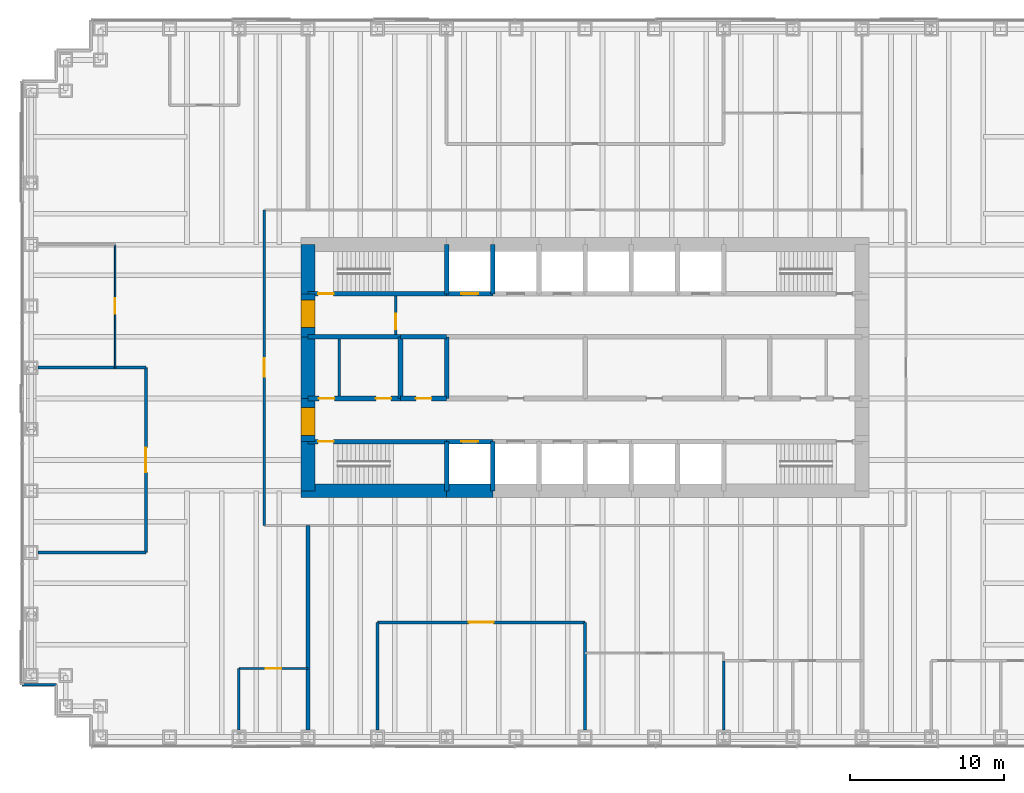
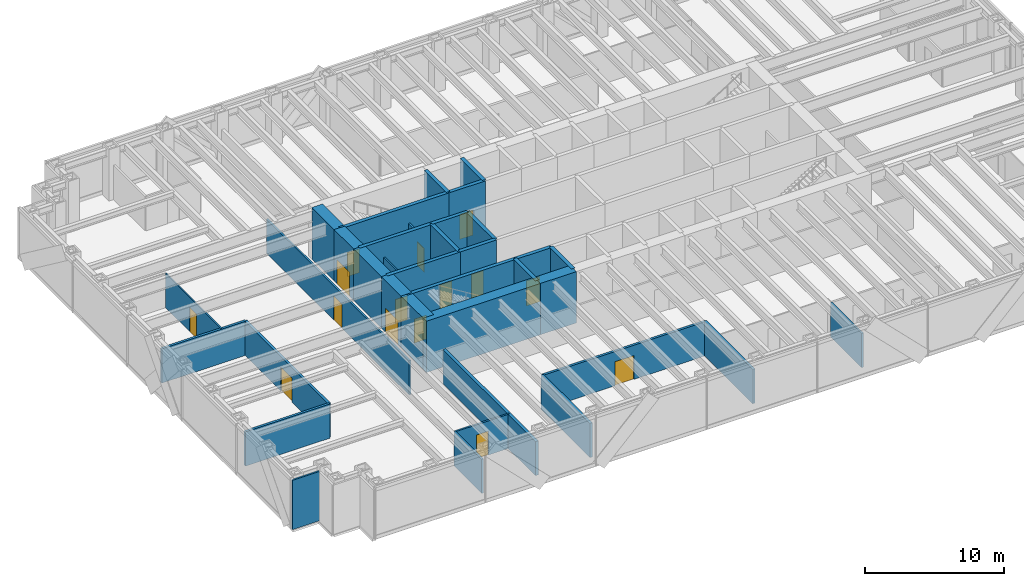
# One storey, part 9 of 13: 36 walls, 15 doors, 15 openings.
"""IFC4 building model written with IfcOpenShell, lengths in metres."""

from ifc_helpers import new_model, si_unit, direction, frame, frame_2d, origin, place, context, subcontext, project, spatial, rectangle, extrude, material, layer, layer_set, type_object, element, fill, save


model = new_model("IFC4")

# Units and contexts
model_context = context("Model", 3, precision=1e-05, world=origin(), true_north=direction((0.0, 1.0)))
body_context = subcontext(model_context, "Body", "Model", "MODEL_VIEW")
ifc_project = project(units=[si_unit("LENGTHUNIT", "METRE"), si_unit("AREAUNIT", "SQUARE_METRE"), si_unit("VOLUMEUNIT", "CUBIC_METRE"), si_unit("PLANEANGLEUNIT", "RADIAN"), si_unit("MASSUNIT", "GRAM", prefix="KILO")], contexts=[model_context])

# Site, building, storey
site_placement = place(None, origin())
site = spatial("IfcSite", under=ifc_project, at=site_placement, CompositionType="ELEMENT")
building_placement = place(site_placement, origin())
building = spatial("IfcBuilding", under=site, at=building_placement, Name="Rheinbord Bourse Tower", CompositionType="ELEMENT")
storey_placement = place(building_placement, frame((0.0, 0.0, 81.5)))
storey = spatial("IfcBuildingStorey", under=building, at=storey_placement, Name="L17", CompositionType="ELEMENT", Elevation=81.5)

# Wall, opening, door
ifc_material_1 = material(Name="Acoustic gypsum board partition", Category="gypsum board")
ifc_layer_1 = layer(ifc_material_1, 0.199951171875)
ifc_layer_set_1 = layer_set([ifc_layer_1], Name="ACOUSTIC PARTITION 200")
wall_type_1 = type_object("IfcWallType", Name="ACOUSTIC PARTITION 200", PredefinedType="PARTITIONING", material=ifc_layer_set_1)
wall_1_placement = place(storey_placement, frame((22.5, 7.449951171875, 0.0), z_axis=(0.0, 0.0, 1.0), x_axis=(1.0, 0.0, 0.0)))
wall_1 = element("IfcWall", 1, at=wall_1_placement, inside=storey, type_object=wall_type_1, Name="Partition L17-06", PredefinedType="PARTITIONING", context=body_context, shape_type="SweptSolid", body=[
    extrude(rectangle(XDim=13.5, YDim=0.199951171875, at=frame_2d((6.75, 0.0))), origin(), (0.0, 0.0, 1.0), 3.0),
])
opening_1_placement = place(wall_1_placement, frame((5.949951171875, 0.0, 0.0)))
opening_1 = element("IfcOpeningElement", 2, at=opening_1_placement, cuts=wall_1, Name="Opening 17D07", PredefinedType="OPENING", context=body_context, shape_type="SweptSolid", body=[
    extrude(rectangle(XDim=1.60009765625, YDim=2.10009765625, at=frame_2d((0.800048828125, 1.050048828125))), frame((0.0, 0.10986328125, 0.0), z_axis=(0.0, -1.0, 0.0), x_axis=(1.0, 0.0, 0.0)), (0.0, 0.0, 1.0), 0.219970703125),
])
ifc_material_2 = material(Name="Timber door", Category="wood")
door_type_1 = type_object("IfcDoorType", Name="DOUBLE ROOM DOOR 1600", OperationType="DOUBLE_DOOR_DOUBLE_SWING", PredefinedType="DOOR", material=ifc_material_2)
door_1_placement = place(opening_1_placement, origin())
door_1 = element("IfcDoor", 3, at=door_1_placement, inside=storey, type_object=door_type_1, Name="Trading room door L17", OperationType="SINGLE_SWING_LEFT", OverallHeight=2.10009765625, OverallWidth=1.60009765625, PredefinedType="DOOR", context=body_context, shape_type="SweptSolid", body=[
    extrude(rectangle(XDim=1.60009765625, YDim=2.10009765625, at=frame_2d((0.800048828125, 1.050048828125))), frame((0.0, 0.02490234375, 0.0), z_axis=(0.0, -1.0, 0.0), x_axis=(1.0, 0.0, 0.0)), (0.0, 0.0, 1.0), 0.050048828125),
])
fill(opening_1, door_1)

# Walls
for number, where, z_axis, x_axis, name in (
    (4, (0.449951171875, 12.0, 0.0), (0.0, 0.0, 1.0), (1.0, 0.0, 0.0), "Partition L17-07"),
    (5, (0.449951171875, 24.0, 0.0), (0.0, 0.0, 1.0), (1.0, 0.0, 0.0), "Partition L17-11"),
):
    element("IfcWall", number, at=place(storey_placement, frame(where, z_axis=z_axis, x_axis=x_axis)), inside=storey, type_object=wall_type_1, Name=name, PredefinedType="PARTITIONING", context=body_context, shape_type="SweptSolid", body=[
        extrude(rectangle(XDim=7.0, YDim=0.199951171875, at=frame_2d((3.5, 0.0))), origin(), (0.0, 0.0, 1.0), 3.0),
    ])

# Wall, opening, door
wall_2_placement = place(storey_placement, frame((7.449951171875, 12.0, 0.0), z_axis=(0.0, 0.0, 1.0), x_axis=(0.0, 1.0, 0.0)))
wall_2 = element("IfcWall", 6, at=wall_2_placement, inside=storey, type_object=wall_type_1, Name="Partition L17-22", PredefinedType="PARTITIONING", context=body_context, shape_type="SweptSolid", body=[
    extrude(rectangle(XDim=12.0, YDim=0.199951171875, at=frame_2d((6.0, 0.0))), origin(), (0.0, 0.0, 1.0), 3.0),
])
opening_2_placement = place(wall_2_placement, frame((5.199951171875, 0.0, 0.0)))
opening_2 = element("IfcOpeningElement", 7, at=opening_2_placement, cuts=wall_2, Name="Opening 17D09", PredefinedType="OPENING", context=body_context, shape_type="SweptSolid", body=[
    extrude(rectangle(XDim=1.60009765625, YDim=2.10009765625, at=frame_2d((0.800048828125, 1.050048828125))), frame((0.0, 0.10986328125, 0.0), z_axis=(0.0, -1.0, 0.0), x_axis=(1.0, 0.0, 0.0)), (0.0, 0.0, 1.0), 0.219970703125),
])
door_2_placement = place(opening_2_placement, origin())
door_2 = element("IfcDoor", 8, at=door_2_placement, inside=storey, type_object=door_type_1, Name="Trading room door L17", OperationType="SINGLE_SWING_LEFT", OverallHeight=2.10009765625, OverallWidth=1.60009765625, PredefinedType="DOOR", context=body_context, shape_type="SweptSolid", body=[
    extrude(rectangle(XDim=1.60009765625, YDim=2.10009765625, at=frame_2d((0.800048828125, 1.050048828125))), frame((0.0, 0.02490234375, 0.0), z_axis=(0.0, -1.0, 0.0), x_axis=(1.0, 0.0, 0.0)), (0.0, 0.0, 1.0), 0.050048828125),
])
fill(opening_2, door_2)

# Walls
for number, where, z_axis, x_axis, name in (
    (9, (22.5, 0.449951171875, 0.0), (0.0, 0.0, 1.0), (0.0, 1.0, 0.0), "Partition L17-29"),
    (10, (36.0, 0.449951171875, 0.0), (0.0, 0.0, 1.0), (0.0, 1.0, 0.0), "Partition L17-31"),
):
    element("IfcWall", number, at=place(storey_placement, frame(where, z_axis=z_axis, x_axis=x_axis)), inside=storey, type_object=wall_type_1, Name=name, PredefinedType="PARTITIONING", context=body_context, shape_type="SweptSolid", body=[
        extrude(rectangle(XDim=7.0, YDim=0.199951171875, at=frame_2d((3.5, 0.0))), origin(), (0.0, 0.0, 1.0), 3.0),
    ])

# Wall, opening, door
ifc_material_3 = material(Name="Concrete C50/60", Category="concrete")
ifc_layer_2 = layer(ifc_material_3, 0.300048828125)
ifc_layer_set_2 = layer_set([ifc_layer_2], Name="CORE INNER WALL 300")
wall_type_2 = type_object("IfcWallType", Name="CORE INNER WALL 300", PredefinedType="SOLIDWALL", material=ifc_layer_set_2)
wall_3_placement = place(storey_placement, frame((18.0, 19.199951171875, 0.0), z_axis=(0.0, 0.0, 1.0), x_axis=(1.0, 0.0, 0.0)))
wall_3 = element("IfcWall", 11, at=wall_3_placement, inside=storey, type_object=wall_type_2, Name="Core wall A1 L17", PredefinedType="SOLIDWALL", context=body_context, shape_type="SweptSolid", body=[
    extrude(rectangle(XDim=9.0, YDim=0.300048828125, at=frame_2d((4.5, 0.0))), origin(), (0.0, 0.0, 1.0), 4.5),
])
opening_3_placement = place(wall_3_placement, frame((0.64990234375, 0.0, 0.0)))
opening_3 = element("IfcOpeningElement", 12, at=opening_3_placement, cuts=wall_3, Name="Opening 1710", PredefinedType="OPENING", context=body_context, shape_type="SweptSolid", body=[
    extrude(rectangle(XDim=1.0, YDim=2.10009765625, at=frame_2d((0.5, 1.050048828125))), frame((0.0, 0.159912109375, 0.0), z_axis=(0.0, -1.0, 0.0), x_axis=(1.0, 0.0, 0.0)), (0.0, 0.0, 1.0), 0.320068359375),
])
ifc_material_4 = material(Name="Steel door", Category="steel")
door_type_2 = type_object("IfcDoorType", Name="DOOR 1000 EI30", OperationType="SINGLE_SWING_LEFT", PredefinedType="DOOR", material=ifc_material_4)
door_3_placement = place(opening_3_placement, origin())
door_3 = element("IfcDoor", 13, at=door_3_placement, inside=storey, type_object=door_type_2, Name="Stair door ST1 L17", OperationType="SINGLE_SWING_LEFT", OverallHeight=2.10009765625, OverallWidth=1.0, PredefinedType="DOOR", context=body_context, shape_type="SweptSolid", body=[
    extrude(rectangle(XDim=1.0, YDim=2.10009765625, at=frame_2d((0.5, 1.050048828125))), frame((0.0, 0.02490234375, 0.0), z_axis=(0.0, -1.0, 0.0), x_axis=(1.0, 0.0, 0.0)), (0.0, 0.0, 1.0), 0.050048828125),
])
fill(opening_3, door_3)

wall_4_placement = place(storey_placement, frame((27.0, 19.199951171875, 0.0), z_axis=(0.0, 0.0, 1.0), x_axis=(1.0, 0.0, 0.0)))
wall_4 = element("IfcWall", 14, at=wall_4_placement, inside=storey, type_object=wall_type_2, Name="Core wall A2 L17", PredefinedType="SOLIDWALL", context=body_context, shape_type="SweptSolid", body=[
    extrude(rectangle(XDim=3.0, YDim=0.300048828125, at=frame_2d((1.5, 0.0))), origin(), (0.0, 0.0, 1.0), 4.5),
])
opening_4_placement = place(wall_4_placement, frame((0.949951171875, 0.0, 0.0)))
opening_4 = element("IfcOpeningElement", 15, at=opening_4_placement, cuts=wall_4, Name="Opening FL1", PredefinedType="OPENING", context=body_context, shape_type="SweptSolid", body=[
    extrude(rectangle(XDim=1.10009765625, YDim=2.199951171875, at=frame_2d((0.550048828125, 1.10009765625))), frame((0.0, 0.159912109375, 0.0), z_axis=(0.0, -1.0, 0.0), x_axis=(1.0, 0.0, 0.0)), (0.0, 0.0, 1.0), 0.320068359375),
])
ifc_material_5 = material(Name="Steel landing door", Category="steel")
door_type_3 = type_object("IfcDoorType", Name="LIFT LANDING DOOR 1100", OperationType="DOUBLE_DOOR_SLIDING", PredefinedType="USERDEFINED", material=ifc_material_5)
door_4_placement = place(opening_4_placement, origin())
door_4 = element("IfcDoor", 16, at=door_4_placement, inside=storey, type_object=door_type_3, Name="Lift landing door FL1 L17", ObjectType="LIFT LANDING DOOR", OperationType="DOUBLE_DOOR_SLIDING", OverallHeight=2.199951171875, OverallWidth=1.10009765625, PredefinedType="USERDEFINED", context=body_context, shape_type="SweptSolid", body=[
    extrude(rectangle(XDim=1.10009765625, YDim=2.199951171875, at=frame_2d((0.550048828125, 1.10009765625))), frame((0.0, 0.02490234375, 0.0), z_axis=(0.0, -1.0, 0.0), x_axis=(1.0, 0.0, 0.0)), (0.0, 0.0, 1.0), 0.050048828125),
])
fill(opening_4, door_4)

wall_5_placement = place(storey_placement, frame((18.0, 28.800048828125, 0.0), z_axis=(0.0, 0.0, 1.0), x_axis=(1.0, 0.0, 0.0)))
wall_5 = element("IfcWall", 17, at=wall_5_placement, inside=storey, type_object=wall_type_2, Name="Core wall B1 L17", PredefinedType="SOLIDWALL", context=body_context, shape_type="SweptSolid", body=[
    extrude(rectangle(XDim=9.0, YDim=0.300048828125, at=frame_2d((4.5, 0.0))), origin(), (0.0, 0.0, 1.0), 4.5),
])
opening_5_placement = place(wall_5_placement, frame((0.64990234375, 0.0, 0.0)))
opening_5 = element("IfcOpeningElement", 18, at=opening_5_placement, cuts=wall_5, Name="Opening 1720", PredefinedType="OPENING", context=body_context, shape_type="SweptSolid", body=[
    extrude(rectangle(XDim=1.0, YDim=2.10009765625, at=frame_2d((0.5, 1.050048828125))), frame((0.0, 0.159912109375, 0.0), z_axis=(0.0, -1.0, 0.0), x_axis=(1.0, 0.0, 0.0)), (0.0, 0.0, 1.0), 0.320068359375),
])
door_5_placement = place(opening_5_placement, origin())
door_5 = element("IfcDoor", 19, at=door_5_placement, inside=storey, type_object=door_type_2, Name="Stair door ST2 L17", OperationType="SINGLE_SWING_LEFT", OverallHeight=2.10009765625, OverallWidth=1.0, PredefinedType="DOOR", context=body_context, shape_type="SweptSolid", body=[
    extrude(rectangle(XDim=1.0, YDim=2.10009765625, at=frame_2d((0.5, 1.050048828125))), frame((0.0, 0.02490234375, 0.0), z_axis=(0.0, -1.0, 0.0), x_axis=(1.0, 0.0, 0.0)), (0.0, 0.0, 1.0), 0.050048828125),
])
fill(opening_5, door_5)

wall_6_placement = place(storey_placement, frame((27.0, 28.800048828125, 0.0), z_axis=(0.0, 0.0, 1.0), x_axis=(1.0, 0.0, 0.0)))
wall_6 = element("IfcWall", 20, at=wall_6_placement, inside=storey, type_object=wall_type_2, Name="Core wall B2 L17", PredefinedType="SOLIDWALL", context=body_context, shape_type="SweptSolid", body=[
    extrude(rectangle(XDim=3.0, YDim=0.300048828125, at=frame_2d((1.5, 0.0))), origin(), (0.0, 0.0, 1.0), 4.5),
])
opening_6_placement = place(wall_6_placement, frame((0.949951171875, 0.0, 0.0)))
opening_6 = element("IfcOpeningElement", 21, at=opening_6_placement, cuts=wall_6, Name="Opening GL1", PredefinedType="OPENING", context=body_context, shape_type="SweptSolid", body=[
    extrude(rectangle(XDim=1.10009765625, YDim=2.199951171875, at=frame_2d((0.550048828125, 1.10009765625))), frame((0.0, 0.159912109375, 0.0), z_axis=(0.0, -1.0, 0.0), x_axis=(1.0, 0.0, 0.0)), (0.0, 0.0, 1.0), 0.320068359375),
])
door_6_placement = place(opening_6_placement, origin())
door_6 = element("IfcDoor", 22, at=door_6_placement, inside=storey, type_object=door_type_3, Name="Lift landing door GL1 L17", ObjectType="LIFT LANDING DOOR", OperationType="DOUBLE_DOOR_SLIDING", OverallHeight=2.199951171875, OverallWidth=1.10009765625, PredefinedType="USERDEFINED", context=body_context, shape_type="SweptSolid", body=[
    extrude(rectangle(XDim=1.10009765625, YDim=2.199951171875, at=frame_2d((0.550048828125, 1.10009765625))), frame((0.0, 0.02490234375, 0.0), z_axis=(0.0, -1.0, 0.0), x_axis=(1.0, 0.0, 0.0)), (0.0, 0.0, 1.0), 0.050048828125),
])
fill(opening_6, door_6)

# Wall, openings, doors
wall_7_placement = place(storey_placement, frame((18.0, 22.0, 0.0), z_axis=(0.0, 0.0, 1.0), x_axis=(1.0, 0.0, 0.0)))
wall_7 = element("IfcWall", 23, at=wall_7_placement, inside=storey, type_object=wall_type_2, Name="Core wall C1 L17", PredefinedType="SOLIDWALL", context=body_context, shape_type="SweptSolid", body=[
    extrude(rectangle(XDim=6.0, YDim=0.300048828125, at=frame_2d((3.0, 0.0))), origin(), (0.0, 0.0, 1.0), 4.5),
])
opening_7_placement = place(wall_7_placement, frame((4.39990234375, 0.0, 0.0)))
opening_7 = element("IfcOpeningElement", 24, at=opening_7_placement, cuts=wall_7, Name="Opening 17R1", PredefinedType="OPENING", context=body_context, shape_type="SweptSolid", body=[
    extrude(rectangle(XDim=1.0, YDim=2.10009765625, at=frame_2d((0.5, 1.050048828125))), frame((0.0, 0.159912109375, 0.0), z_axis=(0.0, -1.0, 0.0), x_axis=(1.0, 0.0, 0.0)), (0.0, 0.0, 1.0), 0.320068359375),
])
opening_8_placement = place(wall_7_placement, frame((0.699951171875, 0.0, 0.0)))
opening_8 = element("IfcOpeningElement", 25, at=opening_8_placement, cuts=wall_7, Name="Opening 17R9", PredefinedType="OPENING", context=body_context, shape_type="SweptSolid", body=[
    extrude(rectangle(XDim=1.0, YDim=2.10009765625, at=frame_2d((0.5, 1.050048828125))), frame((0.0, 0.159912109375, 0.0), z_axis=(0.0, -1.0, 0.0), x_axis=(1.0, 0.0, 0.0)), (0.0, 0.0, 1.0), 0.320068359375),
])
door_7_placement = place(opening_8_placement, origin())
door_7 = element("IfcDoor", 26, at=door_7_placement, inside=storey, type_object=door_type_2, Name="Staff shower door L17", OperationType="SINGLE_SWING_LEFT", OverallHeight=2.10009765625, OverallWidth=1.0, PredefinedType="DOOR", context=body_context, shape_type="SweptSolid", body=[
    extrude(rectangle(XDim=1.0, YDim=2.10009765625, at=frame_2d((0.5, 1.050048828125))), frame((0.0, 0.02490234375, 0.0), z_axis=(0.0, -1.0, 0.0), x_axis=(1.0, 0.0, 0.0)), (0.0, 0.0, 1.0), 0.050048828125),
])
fill(opening_8, door_7)
ifc_material_6 = material(Name="Timber door", Category="wood")
door_type_4 = type_object("IfcDoorType", Name="DOOR 1000 WC", OperationType="SINGLE_SWING_LEFT", PredefinedType="DOOR", material=ifc_material_6)
door_8_placement = place(opening_7_placement, origin())
door_8 = element("IfcDoor", 27, at=door_8_placement, inside=storey, type_object=door_type_4, Name="WC men door L17", OperationType="SINGLE_SWING_RIGHT", OverallHeight=2.10009765625, OverallWidth=1.0, PredefinedType="DOOR", context=body_context, shape_type="SweptSolid", body=[
    extrude(rectangle(XDim=1.0, YDim=2.10009765625, at=frame_2d((0.5, 1.050048828125))), frame((0.0, 0.02490234375, 0.0), z_axis=(0.0, -1.0, 0.0), x_axis=(1.0, 0.0, 0.0)), (0.0, 0.0, 1.0), 0.050048828125),
])
fill(opening_7, door_8)

# Wall, opening, door
wall_8_placement = place(storey_placement, frame((24.0, 22.0, 0.0), z_axis=(0.0, 0.0, 1.0), x_axis=(1.0, 0.0, 0.0)))
wall_8 = element("IfcWall", 28, at=wall_8_placement, inside=storey, type_object=wall_type_2, Name="Core wall C2 L17", PredefinedType="SOLIDWALL", context=body_context, shape_type="SweptSolid", body=[
    extrude(rectangle(XDim=3.0, YDim=0.300048828125, at=frame_2d((1.5, 0.0))), origin(), (0.0, 0.0, 1.0), 4.5),
])
opening_9_placement = place(wall_8_placement, frame((1.0, 0.0, 0.0)))
opening_9 = element("IfcOpeningElement", 29, at=opening_9_placement, cuts=wall_8, Name="Opening 17R2", PredefinedType="OPENING", context=body_context, shape_type="SweptSolid", body=[
    extrude(rectangle(XDim=1.0, YDim=2.10009765625, at=frame_2d((0.5, 1.050048828125))), frame((0.0, 0.159912109375, 0.0), z_axis=(0.0, -1.0, 0.0), x_axis=(1.0, 0.0, 0.0)), (0.0, 0.0, 1.0), 0.320068359375),
])
door_9_placement = place(opening_9_placement, origin())
door_9 = element("IfcDoor", 30, at=door_9_placement, inside=storey, type_object=door_type_4, Name="Shower and accessible WC door L17", OperationType="SINGLE_SWING_LEFT", OverallHeight=2.10009765625, OverallWidth=1.0, PredefinedType="DOOR", context=body_context, shape_type="SweptSolid", body=[
    extrude(rectangle(XDim=1.0, YDim=2.10009765625, at=frame_2d((0.5, 1.050048828125))), frame((0.0, 0.02490234375, 0.0), z_axis=(0.0, -1.0, 0.0), x_axis=(1.0, 0.0, 0.0)), (0.0, 0.0, 1.0), 0.050048828125),
])
fill(opening_9, door_9)

# Walls
wall_9_placement = place(storey_placement, frame((18.0, 26.0, 0.0), z_axis=(0.0, 0.0, 1.0), x_axis=(1.0, 0.0, 0.0)))
element("IfcWall", 31, at=wall_9_placement, inside=storey, type_object=wall_type_2, Name="Core wall D1 L17", PredefinedType="SOLIDWALL", context=body_context, shape_type="SweptSolid", body=[
    extrude(rectangle(XDim=6.0, YDim=0.300048828125, at=frame_2d((3.0, 0.0))), origin(), (0.0, 0.0, 1.0), 4.5),
])
wall_10_placement = place(storey_placement, frame((24.0, 26.0, 0.0), z_axis=(0.0, 0.0, 1.0), x_axis=(1.0, 0.0, 0.0)))
element("IfcWall", 32, at=wall_10_placement, inside=storey, type_object=wall_type_2, Name="Core wall D2 L17", PredefinedType="SOLIDWALL", context=body_context, shape_type="SweptSolid", body=[
    extrude(rectangle(XDim=3.0, YDim=0.300048828125, at=frame_2d((1.5, 0.0))), origin(), (0.0, 0.0, 1.0), 4.5),
])
for number, where, z_axis, x_axis, name in (
    (33, (27.0, 16.0, 0.0), (0.0, 0.0, 1.0), (0.0, 1.0, 0.0), "Core wall SX27 L17"),
    (34, (27.0, 28.800048828125, 0.0), (0.0, 0.0, 1.0), (0.0, 1.0, 0.0), "Core wall NX27 L17"),
    (35, (30.0, 16.0, 0.0), (0.0, 0.0, 1.0), (0.0, 1.0, 0.0), "Core wall SX30 L17"),
    (36, (30.0, 28.800048828125, 0.0), (0.0, 0.0, 1.0), (0.0, 1.0, 0.0), "Core wall NX30 L17"),
):
    element("IfcWall", number, at=place(storey_placement, frame(where, z_axis=z_axis, x_axis=x_axis)), inside=storey, type_object=wall_type_2, Name=name, PredefinedType="SOLIDWALL", context=body_context, shape_type="SweptSolid", body=[
        extrude(rectangle(XDim=3.199951171875, YDim=0.300048828125, at=frame_2d((1.60009765625, 0.0))), origin(), (0.0, 0.0, 1.0), 4.5),
    ])
for number, where, z_axis, x_axis, name in (
    (37, (24.0, 22.0, 0.0), (0.0, 0.0, 1.0), (0.0, 1.0, 0.0), "Core wall MX24 L17"),
    (38, (27.0, 22.0, 0.0), (0.0, 0.0, 1.0), (0.0, 1.0, 0.0), "Core wall MX27 L17"),
):
    element("IfcWall", number, at=place(storey_placement, frame(where, z_axis=z_axis, x_axis=x_axis)), inside=storey, type_object=wall_type_2, Name=name, PredefinedType="SOLIDWALL", context=body_context, shape_type="SweptSolid", body=[
        extrude(rectangle(XDim=4.0, YDim=0.300048828125, at=frame_2d((2.0, 0.0))), origin(), (0.0, 0.0, 1.0), 4.5),
    ])
ifc_material_7 = material(Name="Gypsum board fire partition", Category="gypsum board")
ifc_layer_3 = layer(ifc_material_7, 0.14990234375)
ifc_layer_set_3 = layer_set([ifc_layer_3], Name="CORE PARTITION 150 EI30")
wall_type_3 = type_object("IfcWallType", Name="CORE PARTITION 150 EI30", PredefinedType="PARTITIONING", material=ifc_layer_set_3)
wall_11_placement = place(storey_placement, frame((20.02490234375, 22.14990234375, 0.0), z_axis=(0.0, 0.0, 1.0), x_axis=(0.0, 1.0, 0.0)))
element("IfcWall", 39, at=wall_11_placement, inside=storey, type_object=wall_type_3, Name="Core partition L17-2", PredefinedType="PARTITIONING", context=body_context, shape_type="SweptSolid", body=[
    extrude(rectangle(XDim=3.7001953125, YDim=0.14990234375, at=frame_2d((1.85009765625, 0.0))), origin(), (0.0, 0.0, 1.0), 3.0),
])

# Wall, opening, door
wall_12_placement = place(storey_placement, frame((23.699951171875, 26.14990234375, 0.0), z_axis=(0.0, 0.0, 1.0), x_axis=(0.0, 1.0, 0.0)))
wall_12 = element("IfcWall", 40, at=wall_12_placement, inside=storey, type_object=wall_type_3, Name="Core partition L17-5", PredefinedType="PARTITIONING", context=body_context, shape_type="SweptSolid", body=[
    extrude(rectangle(XDim=2.5, YDim=0.14990234375, at=frame_2d((1.25, 0.0))), origin(), (0.0, 0.0, 1.0), 3.0),
])
opening_10_placement = place(wall_12_placement, frame((0.35009765625, 0.0, 0.0)))
opening_10 = element("IfcOpeningElement", 41, at=opening_10_placement, cuts=wall_12, Name="Opening 17L6", PredefinedType="OPENING", context=body_context, shape_type="SweptSolid", body=[
    extrude(rectangle(XDim=1.0, YDim=2.10009765625, at=frame_2d((0.5, 1.050048828125))), frame((0.0, 0.0849609375, 0.0), z_axis=(0.0, -1.0, 0.0), x_axis=(1.0, 0.0, 0.0)), (0.0, 0.0, 1.0), 0.169921875),
])
door_10_placement = place(opening_10_placement, origin())
door_10 = element("IfcDoor", 42, at=door_10_placement, inside=storey, type_object=door_type_2, Name="Stair lobby door L17", OperationType="SINGLE_SWING_LEFT", OverallHeight=2.10009765625, OverallWidth=1.0, PredefinedType="DOOR", context=body_context, shape_type="SweptSolid", body=[
    extrude(rectangle(XDim=1.0, YDim=2.10009765625, at=frame_2d((0.5, 1.050048828125))), frame((0.0, 0.02490234375, 0.0), z_axis=(0.0, -1.0, 0.0), x_axis=(1.0, 0.0, 0.0)), (0.0, 0.0, 1.0), 0.050048828125),
])
fill(opening_10, door_10)

# Walls
ifc_material_8 = material(Name="Concrete C50/60", Category="concrete")
ifc_layer_4 = layer(ifc_material_8, 0.89990234375)
ifc_layer_set_4 = layer_set([ifc_layer_4], Name="CORE WALL 900")
wall_type_4 = type_object("IfcWallType", Name="CORE WALL 900", PredefinedType="SHEAR", material=ifc_layer_set_4)
wall_13_placement = place(storey_placement, frame((17.550048828125, 16.0, 0.0), z_axis=(0.0, 0.0, 1.0), x_axis=(1.0, 0.0, 0.0)))
element("IfcWall", 43, at=wall_13_placement, inside=storey, type_object=wall_type_4, Name="Core wall S1 L17", PredefinedType="SHEAR", context=body_context, shape_type="SweptSolid", body=[
    extrude(rectangle(XDim=9.449951171875, YDim=0.89990234375, at=frame_2d((4.72509765625, 0.0))), origin(), (0.0, 0.0, 1.0), 4.5),
])
wall_14_placement = place(storey_placement, frame((27.0, 16.0, 0.0), z_axis=(0.0, 0.0, 1.0), x_axis=(1.0, 0.0, 0.0)))
element("IfcWall", 44, at=wall_14_placement, inside=storey, type_object=wall_type_4, Name="Core wall S2 L17", PredefinedType="SHEAR", context=body_context, shape_type="SweptSolid", body=[
    extrude(rectangle(XDim=3.0, YDim=0.89990234375, at=frame_2d((1.5, 0.0))), origin(), (0.0, 0.0, 1.0), 4.5),
])
wall_15_placement = place(storey_placement, frame((18.0, 32.0, 0.0), z_axis=(0.0, 0.0, 1.0), x_axis=(0.0, -1.0, 0.0)))
element("IfcWall", 45, at=wall_15_placement, inside=storey, type_object=wall_type_4, Name="Core wall W1 L17", PredefinedType="SHEAR", context=body_context, shape_type="SweptSolid", body=[
    extrude(rectangle(XDim=3.199951171875, YDim=0.89990234375, at=frame_2d((1.60009765625, 0.0))), origin(), (0.0, 0.0, 1.0), 4.5),
])

# Wall, opening, door
wall_16_placement = place(storey_placement, frame((18.0, 28.800048828125, 0.0), z_axis=(0.0, 0.0, 1.0), x_axis=(0.0, -1.0, 0.0)))
wall_16 = element("IfcWall", 46, at=wall_16_placement, inside=storey, type_object=wall_type_4, Name="Core wall W2 L17", PredefinedType="SHEAR", context=body_context, shape_type="SweptSolid", body=[
    extrude(rectangle(XDim=2.800048828125, YDim=0.89990234375, at=frame_2d((1.39990234375, 0.0))), origin(), (0.0, 0.0, 1.0), 4.5),
])
opening_11_placement = place(wall_16_placement, frame((0.39990234375, 0.0, 0.0)))
opening_11 = element("IfcOpeningElement", 47, at=opening_11_placement, cuts=wall_16, Name="Opening 17L2", PredefinedType="OPENING", context=body_context, shape_type="SweptSolid", body=[
    extrude(rectangle(XDim=1.800048828125, YDim=2.10009765625, at=frame_2d((0.89990234375, 1.050048828125))), frame((0.0, 0.4599609375, 0.0), z_axis=(0.0, -1.0, 0.0), x_axis=(1.0, 0.0, 0.0)), (0.0, 0.0, 1.0), 0.919921875),
])
ifc_material_9 = material(Name="Steel door", Category="steel")
door_type_5 = type_object("IfcDoorType", Name="DOOR 1800 EI30 DOUBLE", OperationType="DOUBLE_DOOR_DOUBLE_SWING", PredefinedType="DOOR", material=ifc_material_9)
door_11_placement = place(opening_11_placement, origin())
door_11 = element("IfcDoor", 48, at=door_11_placement, inside=storey, type_object=door_type_5, Name="Lobby door 2 L17", OperationType="SINGLE_SWING_LEFT", OverallHeight=2.10009765625, OverallWidth=1.800048828125, PredefinedType="DOOR", context=body_context, shape_type="SweptSolid", body=[
    extrude(rectangle(XDim=1.800048828125, YDim=2.10009765625, at=frame_2d((0.89990234375, 1.050048828125))), frame((0.0, 0.44970703125, 0.0), z_axis=(0.0, -1.0, 0.0), x_axis=(1.0, 0.0, 0.0)), (0.0, 0.0, 1.0), 0.8994140625),
])
fill(opening_11, door_11)

# Wall
wall_17_placement = place(storey_placement, frame((18.0, 26.0, 0.0), z_axis=(0.0, 0.0, 1.0), x_axis=(0.0, -1.0, 0.0)))
element("IfcWall", 49, at=wall_17_placement, inside=storey, type_object=wall_type_4, Name="Core wall W3 L17", PredefinedType="SHEAR", context=body_context, shape_type="SweptSolid", body=[
    extrude(rectangle(XDim=4.0, YDim=0.89990234375, at=frame_2d((2.0, 0.0))), origin(), (0.0, 0.0, 1.0), 4.5),
])

# Wall, opening, door
wall_18_placement = place(storey_placement, frame((18.0, 22.0, 0.0), z_axis=(0.0, 0.0, 1.0), x_axis=(0.0, -1.0, 0.0)))
wall_18 = element("IfcWall", 50, at=wall_18_placement, inside=storey, type_object=wall_type_4, Name="Core wall W4 L17", PredefinedType="SHEAR", context=body_context, shape_type="SweptSolid", body=[
    extrude(rectangle(XDim=2.800048828125, YDim=0.89990234375, at=frame_2d((1.39990234375, 0.0))), origin(), (0.0, 0.0, 1.0), 4.5),
])
opening_12_placement = place(wall_18_placement, frame((0.60009765625, 0.0, 0.0)))
opening_12 = element("IfcOpeningElement", 51, at=opening_12_placement, cuts=wall_18, Name="Opening 17L1", PredefinedType="OPENING", context=body_context, shape_type="SweptSolid", body=[
    extrude(rectangle(XDim=1.800048828125, YDim=2.10009765625, at=frame_2d((0.89990234375, 1.050048828125))), frame((0.0, 0.4599609375, 0.0), z_axis=(0.0, -1.0, 0.0), x_axis=(1.0, 0.0, 0.0)), (0.0, 0.0, 1.0), 0.919921875),
])
door_12_placement = place(opening_12_placement, origin())
door_12 = element("IfcDoor", 52, at=door_12_placement, inside=storey, type_object=door_type_5, Name="Lobby door 1 L17", OperationType="SINGLE_SWING_LEFT", OverallHeight=2.10009765625, OverallWidth=1.800048828125, PredefinedType="DOOR", context=body_context, shape_type="SweptSolid", body=[
    extrude(rectangle(XDim=1.800048828125, YDim=2.10009765625, at=frame_2d((0.89990234375, 1.050048828125))), frame((0.0, 0.44970703125, 0.0), z_axis=(0.0, -1.0, 0.0), x_axis=(1.0, 0.0, 0.0)), (0.0, 0.0, 1.0), 0.8994140625),
])
fill(opening_12, door_12)

# Walls
wall_19_placement = place(storey_placement, frame((18.0, 19.199951171875, 0.0), z_axis=(0.0, 0.0, 1.0), x_axis=(0.0, -1.0, 0.0)))
element("IfcWall", 53, at=wall_19_placement, inside=storey, type_object=wall_type_4, Name="Core wall W5 L17", PredefinedType="SHEAR", context=body_context, shape_type="SweptSolid", body=[
    extrude(rectangle(XDim=3.199951171875, YDim=0.89990234375, at=frame_2d((1.60009765625, 0.0))), origin(), (0.0, 0.0, 1.0), 4.5),
])
ifc_material_10 = material(Name="Black metal rainscreen panel", Category="aluminium")
ifc_layer_5 = layer(ifc_material_10, 0.14990234375)
ifc_layer_set_5 = layer_set([ifc_layer_5], Name="CORNER PIER CLADDING 150")
wall_type_5 = type_object("IfcWallType", Name="CORNER PIER CLADDING 150", PredefinedType="ELEMENTEDWALL", material=ifc_layer_set_5)
wall_20_placement = place(storey_placement, frame((-0.60009765625, 3.39990234375, 0.0), z_axis=(0.0, 0.0, 1.0), x_axis=(1.0, 0.0, 0.0)))
element("IfcWall", 54, at=wall_20_placement, inside=storey, type_object=wall_type_5, Name="Corner pier cladding L17 17", PredefinedType="ELEMENTEDWALL", context=body_context, shape_type="SweptSolid", body=[
    extrude(rectangle(XDim=2.25, YDim=0.14990234375, at=frame_2d((1.125, 0.0))), origin(), (0.0, 0.0, 1.0), 4.320068359375),
])

# Wall, opening, door
ifc_material_11 = material(Name="Gypsum board corridor partition", Category="gypsum board")
ifc_layer_6 = layer(ifc_material_11, 0.14990234375)
ifc_layer_set_6 = layer_set([ifc_layer_6], Name="CORRIDOR PARTITION 150 EI30")
wall_type_6 = type_object("IfcWallType", Name="CORRIDOR PARTITION 150 EI30", PredefinedType="PARTITIONING", material=ifc_layer_set_6)
wall_21_placement = place(storey_placement, frame((15.14990234375, 13.75, 0.0), z_axis=(0.0, 0.0, 1.0), x_axis=(0.0, 1.0, 0.0)))
wall_21 = element("IfcWall", 55, at=wall_21_placement, inside=storey, type_object=wall_type_6, Name="Partition L17-26", PredefinedType="PARTITIONING", context=body_context, shape_type="SweptSolid", body=[
    extrude(rectangle(XDim=20.5, YDim=0.14990234375, at=frame_2d((10.25, 0.0))), origin(), (0.0, 0.0, 1.0), 3.0),
])
opening_13_placement = place(wall_21_placement, frame((9.64990234375, 0.0, 0.0)))
opening_13 = element("IfcOpeningElement", 56, at=opening_13_placement, cuts=wall_21, Name="Opening 17D17", PredefinedType="OPENING", context=body_context, shape_type="SweptSolid", body=[
    extrude(rectangle(XDim=1.199951171875, YDim=2.10009765625, at=frame_2d((0.60009765625, 1.050048828125))), frame((0.0, 0.0849609375, 0.0), z_axis=(0.0, -1.0, 0.0), x_axis=(1.0, 0.0, 0.0)), (0.0, 0.0, 1.0), 0.169921875),
])
ifc_material_12 = material(Name="Timber fire door", Category="wood")
door_type_6 = type_object("IfcDoorType", Name="SUITE ENTRANCE DOOR 1200 EI30", OperationType="SINGLE_SWING_LEFT", PredefinedType="DOOR", material=ifc_material_12)
door_13_placement = place(opening_13_placement, origin())
door_13 = element("IfcDoor", 57, at=door_13_placement, inside=storey, type_object=door_type_6, Name="Suite entrance 1 door L17", OperationType="SINGLE_SWING_LEFT", OverallHeight=2.10009765625, OverallWidth=1.199951171875, PredefinedType="DOOR", context=body_context, shape_type="SweptSolid", body=[
    extrude(rectangle(XDim=1.199951171875, YDim=2.10009765625, at=frame_2d((0.60009765625, 1.050048828125))), frame((0.0, 0.02490234375, 0.0), z_axis=(0.0, -1.0, 0.0), x_axis=(1.0, 0.0, 0.0)), (0.0, 0.0, 1.0), 0.050048828125),
])
fill(opening_13, door_13)

# Wall
ifc_material_13 = material(Name="Gypsum board tenancy wall", Category="gypsum board")
ifc_layer_7 = layer(ifc_material_13, 0.25)
ifc_layer_set_7 = layer_set([ifc_layer_7], Name="DEMISING PARTITION 250 EI60")
wall_type_7 = type_object("IfcWallType", Name="DEMISING PARTITION 250 EI60", PredefinedType="PARTITIONING", material=ifc_layer_set_7)
wall_22_placement = place(storey_placement, frame((18.0, 0.449951171875, 0.0), z_axis=(0.0, 0.0, 1.0), x_axis=(0.0, 1.0, 0.0)))
element("IfcWall", 58, at=wall_22_placement, inside=storey, type_object=wall_type_7, Name="Partition L17-27", PredefinedType="PARTITIONING", context=body_context, shape_type="SweptSolid", body=[
    extrude(rectangle(XDim=13.300048828125, YDim=0.25, at=frame_2d((6.64990234375, 0.0))), origin(), (0.0, 0.0, 1.0), 3.0),
])

# Wall, opening, door
ifc_material_14 = material(Name="Gypsum board fire partition", Category="gypsum board")
ifc_layer_8 = layer(ifc_material_14, 0.14990234375)
ifc_layer_set_8 = layer_set([ifc_layer_8], Name="FIRE PARTITION 150 EI60")
wall_type_8 = type_object("IfcWallType", Name="FIRE PARTITION 150 EI60", PredefinedType="PARTITIONING", material=ifc_layer_set_8)
wall_23_placement = place(storey_placement, frame((13.5, 4.449951171875, 0.0), z_axis=(0.0, 0.0, 1.0), x_axis=(1.0, 0.0, 0.0)))
wall_23 = element("IfcWall", 59, at=wall_23_placement, inside=storey, type_object=wall_type_8, Name="Partition L17-01", PredefinedType="PARTITIONING", context=body_context, shape_type="SweptSolid", body=[
    extrude(rectangle(XDim=4.5, YDim=0.14990234375, at=frame_2d((2.25, 0.0))), origin(), (0.0, 0.0, 1.0), 3.0),
])
opening_14_placement = place(wall_23_placement, frame((1.75, 0.0, 0.0)))
opening_14 = element("IfcOpeningElement", 60, at=opening_14_placement, cuts=wall_23, Name="Opening 17D01", PredefinedType="OPENING", context=body_context, shape_type="SweptSolid", body=[
    extrude(rectangle(XDim=1.0, YDim=2.10009765625, at=frame_2d((0.5, 1.050048828125))), frame((0.0, 0.0849609375, 0.0), z_axis=(0.0, -1.0, 0.0), x_axis=(1.0, 0.0, 0.0)), (0.0, 0.0, 1.0), 0.169921875),
])
ifc_material_15 = material(Name="Timber fire door", Category="wood")
door_type_7 = type_object("IfcDoorType", Name="FIRE DOOR 1000 EI60", OperationType="SINGLE_SWING_LEFT", PredefinedType="DOOR", material=ifc_material_15)
door_14_placement = place(opening_14_placement, origin())
door_14 = element("IfcDoor", 61, at=door_14_placement, inside=storey, type_object=door_type_7, Name="Comms room door L17", OperationType="SINGLE_SWING_LEFT", OverallHeight=2.10009765625, OverallWidth=1.0, PredefinedType="DOOR", context=body_context, shape_type="SweptSolid", body=[
    extrude(rectangle(XDim=1.0, YDim=2.10009765625, at=frame_2d((0.5, 1.050048828125))), frame((0.0, 0.02490234375, 0.0), z_axis=(0.0, -1.0, 0.0), x_axis=(1.0, 0.0, 0.0)), (0.0, 0.0, 1.0), 0.050048828125),
])
fill(opening_14, door_14)

# Walls
wall_24_placement = place(storey_placement, frame((13.5, 0.449951171875, 0.0), z_axis=(0.0, 0.0, 1.0), x_axis=(0.0, 1.0, 0.0)))
element("IfcWall", 62, at=wall_24_placement, inside=storey, type_object=wall_type_8, Name="Partition L17-24", PredefinedType="PARTITIONING", context=body_context, shape_type="SweptSolid", body=[
    extrude(rectangle(XDim=4.0, YDim=0.14990234375, at=frame_2d((2.0, 0.0))), origin(), (0.0, 0.0, 1.0), 3.0),
])
wall_25_placement = place(storey_placement, frame((45.0, 0.449951171875, 0.0), z_axis=(0.0, 0.0, 1.0), x_axis=(0.0, 1.0, 0.0)))
element("IfcWall", 63, at=wall_25_placement, inside=storey, type_object=wall_type_8, Name="Partition L17-32", PredefinedType="PARTITIONING", context=body_context, shape_type="SweptSolid", body=[
    extrude(rectangle(XDim=4.5, YDim=0.14990234375, at=frame_2d((2.25, 0.0))), origin(), (0.0, 0.0, 1.0), 3.0),
])

# Wall, opening, door
ifc_material_16 = material(Name="Toughened laminated glass partition", Category="glass")
ifc_layer_9 = layer(ifc_material_16, 0.10009765625)
ifc_layer_set_9 = layer_set([ifc_layer_9], Name="GLAZED PARTITION 100")
wall_type_9 = type_object("IfcWallType", Name="GLAZED PARTITION 100", PredefinedType="PARTITIONING", material=ifc_layer_set_9)
wall_26_placement = place(storey_placement, frame((5.449951171875, 24.0, 0.0), z_axis=(0.0, 0.0, 1.0), x_axis=(0.0, 1.0, 0.0)))
wall_26 = element("IfcWall", 64, at=wall_26_placement, inside=storey, type_object=wall_type_9, Name="Partition L17-21", PredefinedType="PARTITIONING", context=body_context, shape_type="SweptSolid", body=[
    extrude(rectangle(XDim=8.0, YDim=0.10009765625, at=frame_2d((4.0, 0.0))), origin(), (0.0, 0.0, 1.0), 3.0),
])
opening_15_placement = place(wall_26_placement, frame((3.5, 0.0, 0.0)))
opening_15 = element("IfcOpeningElement", 65, at=opening_15_placement, cuts=wall_26, Name="Opening 17D10", PredefinedType="OPENING", context=body_context, shape_type="SweptSolid", body=[
    extrude(rectangle(XDim=1.0, YDim=2.10009765625, at=frame_2d((0.5, 1.050048828125))), frame((0.0, 0.06005859375, 0.0), z_axis=(0.0, -1.0, 0.0), x_axis=(1.0, 0.0, 0.0)), (0.0, 0.0, 1.0), 0.1201171875),
])
ifc_material_17 = material(Name="Timber door", Category="wood")
door_type_8 = type_object("IfcDoorType", Name="ROOM DOOR 1000", OperationType="SINGLE_SWING_LEFT", PredefinedType="DOOR", material=ifc_material_17)
door_15_placement = place(opening_15_placement, origin())
door_15 = element("IfcDoor", 66, at=door_15_placement, inside=storey, type_object=door_type_8, Name="Meeting room door L17", OperationType="SINGLE_SWING_LEFT", OverallHeight=2.10009765625, OverallWidth=1.0, PredefinedType="DOOR", context=body_context, shape_type="SweptSolid", body=[
    extrude(rectangle(XDim=1.0, YDim=2.10009765625, at=frame_2d((0.5, 1.050048828125))), frame((0.0, 0.02490234375, 0.0), z_axis=(0.0, -1.0, 0.0), x_axis=(1.0, 0.0, 0.0)), (0.0, 0.0, 1.0), 0.050048828125),
])
fill(opening_15, door_15)

save(model, "model.ifc")
